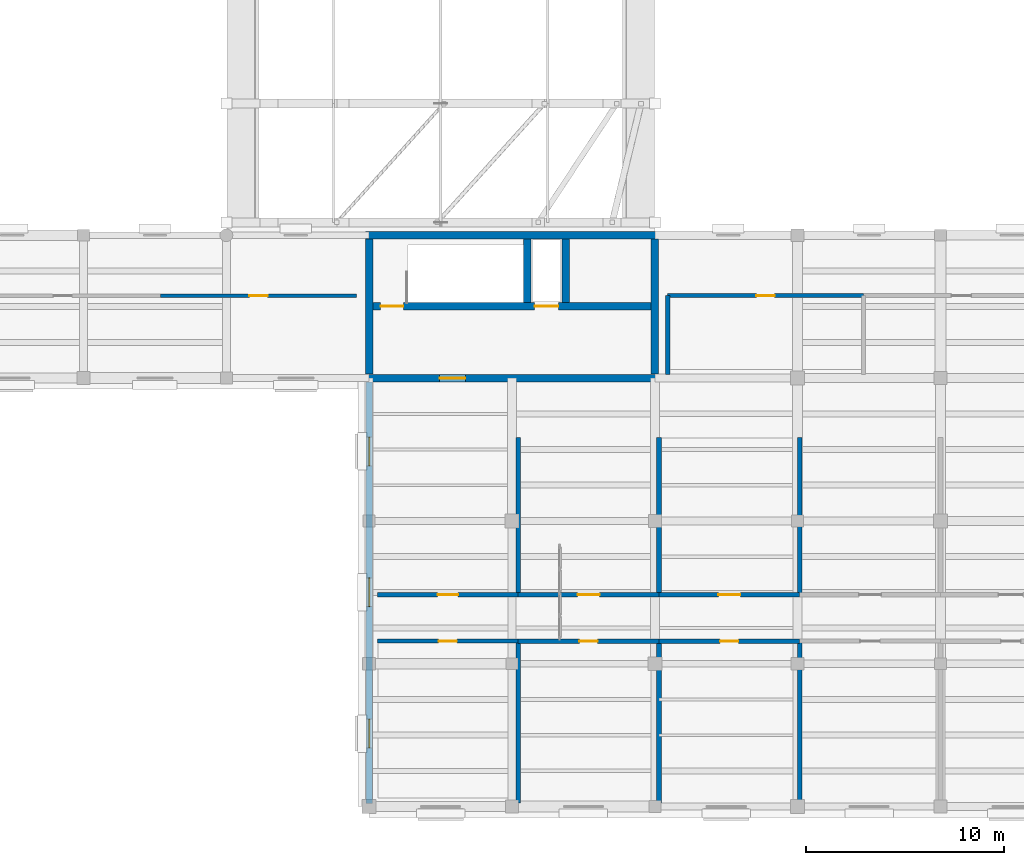
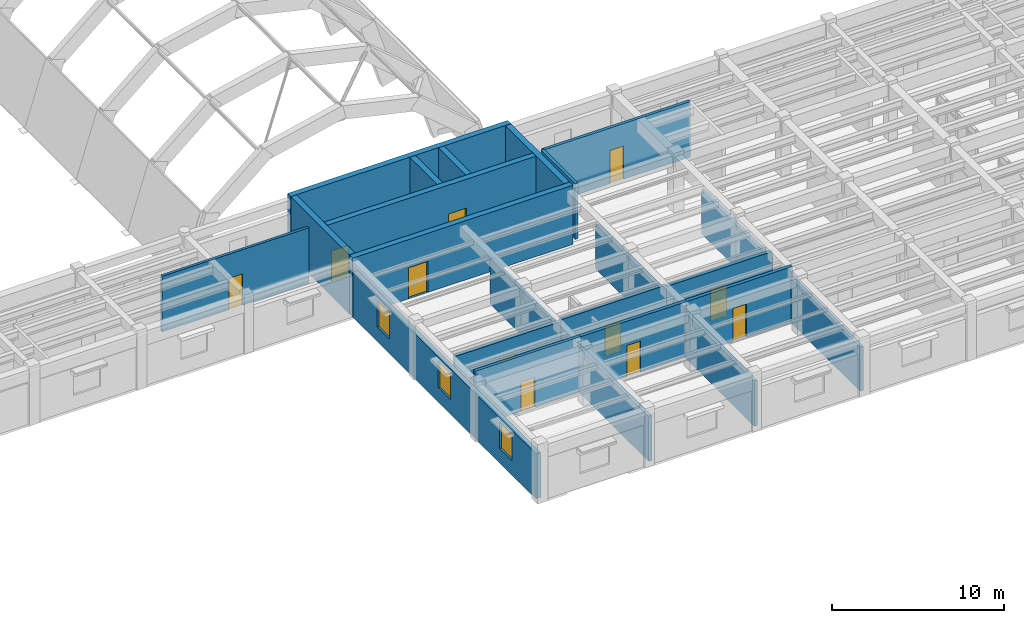
# One storey, part 40 of 66: 23 walls, 11 doors, 3 windows, 14 openings.
"""IFC4 building model written with IfcOpenShell, lengths in metres."""

from ifc_helpers import new_model, si_unit, direction, frame, frame_2d, origin, place, context, subcontext, project, spatial, rectangle, extrude, material, layer, layer_set, type_object, element, fill, save


model = new_model("IFC4")

# Units and contexts
model_context = context("Model", 3, precision=1e-05, world=origin(), true_north=direction((0.0, 1.0)))
body_context = subcontext(model_context, "Body", "Model", "MODEL_VIEW")
ifc_project = project(units=[si_unit("LENGTHUNIT", "METRE"), si_unit("AREAUNIT", "SQUARE_METRE"), si_unit("VOLUMEUNIT", "CUBIC_METRE"), si_unit("PLANEANGLEUNIT", "RADIAN"), si_unit("MASSUNIT", "GRAM", prefix="KILO")], contexts=[model_context])

# Site, building, storey
site_placement = place(None, origin())
site = spatial("IfcSite", under=ifc_project, at=site_placement, CompositionType="ELEMENT")
building_placement = place(site_placement, origin())
building = spatial("IfcBuilding", under=site, at=building_placement, Name="Mithqara Police Headquarters", CompositionType="ELEMENT")
storey_placement = place(building_placement, frame((0.0, 0.0, 9.60009765625)))
storey = spatial("IfcBuildingStorey", under=building, at=storey_placement, Name="L02", CompositionType="ELEMENT", Elevation=9.60009765625)

# Wall, openings, windows
ifc_material_1 = material(Name="Limestone ashlar masonry, 45 MPa", Category="masonry")
ifc_layer_1 = layer(ifc_material_1, 0.320068359375, Name="Limestone ashlar masonry, 45 MPa")
ifc_layer_set_1 = layer_set([ifc_layer_1], Name="Limestone ashlar masonry, 45 MPa")
wall_type_1 = type_object("IfcWallType", Name="EXT WALL LIMESTONE320", PredefinedType="SOLIDWALL", material=ifc_layer_set_1)
wall_1_placement = place(storey_placement, frame((79.800048828125, 28.010009765625, 0.0), z_axis=(0.0, 0.0, 1.0), x_axis=(0.0, -1.0, 0.0)))
wall_1 = element("IfcWall", 1, at=wall_1_placement, inside=storey, type_object=wall_type_1, Name="L02 Exterior Wall 1.1", PredefinedType="SOLIDWALL", context=body_context, shape_type="SweptSolid", body=[
    extrude(rectangle(XDim=21.25, YDim=0.320068359375, at=frame_2d((10.625, 0.0))), origin(), (0.0, 0.0, 1.0), 3.18994140625),
])
opening_1_placement = place(wall_1_placement, frame((17.0048828125, 0.0, 1.0)))
opening_1 = element("IfcOpeningElement", 2, at=opening_1_placement, cuts=wall_1, Name="Opening W-23", PredefinedType="OPENING", context=body_context, shape_type="SweptSolid", body=[
    extrude(rectangle(XDim=1.449951171875, YDim=1.89990234375, at=frame_2d((0.72509765625, 0.949951171875))), frame((0.0, 0.169921875, 0.0), z_axis=(0.0, -1.0, 0.0), x_axis=(1.0, 0.0, 0.0)), (0.0, 0.0, 1.0), 0.340087890625),
])
opening_2_placement = place(wall_1_placement, frame((9.885009765625, 0.0, 1.0)))
opening_2 = element("IfcOpeningElement", 3, at=opening_2_placement, cuts=wall_1, Name="Opening W-23", PredefinedType="OPENING", context=body_context, shape_type="SweptSolid", body=[
    extrude(rectangle(XDim=1.449951171875, YDim=1.89990234375, at=frame_2d((0.72509765625, 0.949951171875))), frame((0.0, 0.169921875, 0.0), z_axis=(0.0, -1.0, 0.0), x_axis=(1.0, 0.0, 0.0)), (0.0, 0.0, 1.0), 0.340087890625),
])
opening_3_placement = place(wall_1_placement, frame((2.780029296875, 0.0, 1.0)))
opening_3 = element("IfcOpeningElement", 4, at=opening_3_placement, cuts=wall_1, Name="Opening W-23", PredefinedType="OPENING", context=body_context, shape_type="SweptSolid", body=[
    extrude(rectangle(XDim=1.449951171875, YDim=1.89990234375, at=frame_2d((0.72509765625, 0.949951171875))), frame((0.0, 0.169921875, 0.0), z_axis=(0.0, -1.0, 0.0), x_axis=(1.0, 0.0, 0.0)), (0.0, 0.0, 1.0), 0.340087890625),
])
ifc_material_2 = material(Name="Spectrally selective double low-e glass", Category="glass")
window_type = type_object("IfcWindowType", Name="WINDOW 1450X1900", PartitioningType="SINGLE_PANEL", PredefinedType="WINDOW", material=ifc_material_2)
window_1_placement = place(opening_1_placement, origin())
window_1 = element("IfcWindow", 5, at=window_1_placement, inside=storey, type_object=window_type, Name="L02 Deep-Set Punched Window 1.1", OverallHeight=1.89990234375, OverallWidth=1.449951171875, PartitioningType="SINGLE_PANEL", PredefinedType="WINDOW", context=body_context, shape_type="SweptSolid", body=[
    extrude(rectangle(XDim=1.449951171875, YDim=1.89990234375, at=frame_2d((0.72509765625, 0.949951171875))), frame((0.0, 0.030029296875, 0.0), z_axis=(0.0, -1.0, 0.0), x_axis=(1.0, 0.0, 0.0)), (0.0, 0.0, 1.0), 0.06005859375),
])
fill(opening_1, window_1)
window_2_placement = place(opening_2_placement, origin())
window_2 = element("IfcWindow", 6, at=window_2_placement, inside=storey, type_object=window_type, Name="L02 Deep-Set Punched Window 1.2", OverallHeight=1.89990234375, OverallWidth=1.449951171875, PartitioningType="SINGLE_PANEL", PredefinedType="WINDOW", context=body_context, shape_type="SweptSolid", body=[
    extrude(rectangle(XDim=1.449951171875, YDim=1.89990234375, at=frame_2d((0.72509765625, 0.949951171875))), frame((0.0, 0.030029296875, 0.0), z_axis=(0.0, -1.0, 0.0), x_axis=(1.0, 0.0, 0.0)), (0.0, 0.0, 1.0), 0.06005859375),
])
fill(opening_2, window_2)
window_3_placement = place(opening_3_placement, origin())
window_3 = element("IfcWindow", 7, at=window_3_placement, inside=storey, type_object=window_type, Name="L02 Deep-Set Punched Window 1.3", OverallHeight=1.89990234375, OverallWidth=1.449951171875, PartitioningType="SINGLE_PANEL", PredefinedType="WINDOW", context=body_context, shape_type="SweptSolid", body=[
    extrude(rectangle(XDim=1.449951171875, YDim=1.89990234375, at=frame_2d((0.72509765625, 0.949951171875))), frame((0.0, 0.030029296875, 0.0), z_axis=(0.0, -1.0, 0.0), x_axis=(1.0, 0.0, 0.0)), (0.0, 0.0, 1.0), 0.06005859375),
])
fill(opening_3, window_3)

# Wall, opening, door
ifc_material_3 = material(Name="Concrete C40/50", Category="concrete")
ifc_layer_2 = layer(ifc_material_3, 0.179931640625, Name="Concrete C40/50")
ifc_layer_set_2 = layer_set([ifc_layer_2], Name="Concrete C40/50")
wall_type_2 = type_object("IfcWallType", Name="PART WALL 180", PredefinedType="PARTITIONING", material=ifc_layer_set_2)
wall_2_placement = place(storey_placement, frame((69.283935546875, 32.360107421875, 0.0), z_axis=(0.0, 0.0, 1.0), x_axis=(1.0, 0.0, 0.0)))
wall_2 = element("IfcWall", 8, at=wall_2_placement, inside=storey, type_object=wall_type_2, Name="L02 Corridor Wall Community Safety Analysis Office", PredefinedType="PARTITIONING", context=body_context, shape_type="SweptSolid", body=[
    extrude(rectangle(XDim=9.865966796875, YDim=0.179931640625, at=frame_2d((4.93310546875, 0.0))), origin(), (0.0, 0.0, 1.0), 3.93994140625),
])
opening_4_placement = place(wall_2_placement, frame((4.472900390625, 0.0, 0.0)))
opening_4 = element("IfcOpeningElement", 9, at=opening_4_placement, cuts=wall_2, Name="Opening D-02", PredefinedType="OPENING", context=body_context, shape_type="SweptSolid", body=[
    extrude(rectangle(XDim=0.919921875, YDim=2.219970703125, at=frame_2d((0.4599609375, 1.10986328125))), frame((0.0, 0.10009765625, 0.0), z_axis=(0.0, -1.0, 0.0), x_axis=(1.0, 0.0, 0.0)), (0.0, 0.0, 1.0), 0.199951171875),
])
ifc_material_4 = material(Name="Acoustic solid-core timber leaf", Category="wood")
door_type_1 = type_object("IfcDoorType", Name="INT DOOR 920X2220", OperationType="NOTDEFINED", PredefinedType="DOOR", material=ifc_material_4)
door_1_placement = place(opening_4_placement, frame((0.919921875, 0.0, 0.0), z_axis=(0.0, 0.0, 1.0), x_axis=(-1.0, 0.0, 0.0)))
door_1 = element("IfcDoor", 10, at=door_1_placement, inside=storey, type_object=door_type_1, Name="Community Safety Analysis Office Entry Door", OperationType="SINGLE_SWING_LEFT", OverallHeight=2.219970703125, OverallWidth=0.919921875, PredefinedType="DOOR", context=body_context, shape_type="SweptSolid", body=[
    extrude(rectangle(XDim=0.919921875, YDim=2.219970703125, at=frame_2d((0.4599609375, 1.10986328125))), frame((0.0, 0.02490234375, 0.0), z_axis=(0.0, -1.0, 0.0), x_axis=(1.0, 0.0, 0.0)), (0.0, 0.0, 1.0), 0.050048828125),
])
fill(opening_4, door_1)

# Wall
ifc_layer_3 = layer(ifc_material_3, 0.2099609375, Name="Concrete C40/50")
ifc_layer_set_3 = layer_set([ifc_layer_3], Name="Concrete C40/50")
wall_type_3 = type_object("IfcWallType", Name="PART WALL 210", PredefinedType="PARTITIONING", material=ifc_layer_set_3)
wall_3_placement = place(storey_placement, frame((94.85009765625, 28.3798828125, 0.0), z_axis=(0.0, 0.0, 1.0), x_axis=(0.0, 1.0, 0.0)))
element("IfcWall", 11, at=wall_3_placement, inside=storey, type_object=wall_type_3, Name="L02 Partition End Closure E0", PredefinedType="PARTITIONING", context=body_context, shape_type="SweptSolid", body=[
    extrude(rectangle(XDim=3.980224609375, YDim=0.2099609375, at=frame_2d((1.990234375, 0.0))), origin(), (0.0, 0.0, 1.0), 3.93994140625),
])

# Wall, opening, door
wall_4_placement = place(storey_placement, frame((94.85009765625, 32.360107421875, 0.0), z_axis=(0.0, 0.0, 1.0), x_axis=(1.0, 0.0, 0.0)))
wall_4 = element("IfcWall", 12, at=wall_4_placement, inside=storey, type_object=wall_type_3, Name="L02 Corridor Wall Community Safety Analysis Office", PredefinedType="PARTITIONING", context=body_context, shape_type="SweptSolid", body=[
    extrude(rectangle(XDim=9.865966796875, YDim=0.2099609375, at=frame_2d((4.93310546875, 0.0))), origin(), (0.0, 0.0, 1.0), 3.93994140625),
])
opening_5_placement = place(wall_4_placement, frame((4.472900390625, 0.0, 0.0)))
opening_5 = element("IfcOpeningElement", 13, at=opening_5_placement, cuts=wall_4, Name="Opening D-03", PredefinedType="OPENING", context=body_context, shape_type="SweptSolid", body=[
    extrude(rectangle(XDim=0.919921875, YDim=2.35009765625, at=frame_2d((0.4599609375, 1.175048828125))), frame((0.0, 0.114990234375, 0.0), z_axis=(0.0, -1.0, 0.0), x_axis=(1.0, 0.0, 0.0)), (0.0, 0.0, 1.0), 0.22998046875),
])
door_type_2 = type_object("IfcDoorType", Name="INT DOOR 920X2350", OperationType="NOTDEFINED", PredefinedType="DOOR", material=ifc_material_4)
door_2_placement = place(opening_5_placement, frame((0.919921875, 0.0, 0.0), z_axis=(0.0, 0.0, 1.0), x_axis=(-1.0, 0.0, 0.0)))
door_2 = element("IfcDoor", 14, at=door_2_placement, inside=storey, type_object=door_type_2, Name="Community Safety Analysis Office Entry Door", OperationType="SINGLE_SWING_RIGHT", OverallHeight=2.35009765625, OverallWidth=0.919921875, PredefinedType="DOOR", context=body_context, shape_type="SweptSolid", body=[
    extrude(rectangle(XDim=0.919921875, YDim=2.35009765625, at=frame_2d((0.4599609375, 1.175048828125))), frame((0.0, 0.02490234375, 0.0), z_axis=(0.0, -1.0, 0.0), x_axis=(1.0, 0.0, 0.0)), (0.0, 0.0, 1.0), 0.050048828125),
])
fill(opening_5, door_2)

wall_5_placement = place(storey_placement, frame((80.219970703125, 14.93994140625, 0.0), z_axis=(0.0, 0.0, 1.0), x_axis=(1.0, 0.0, 0.0)))
wall_5 = element("IfcWall", 15, at=wall_5_placement, inside=storey, type_object=wall_type_3, Name="L02 Corridor Wall Custody Administration Suite", PredefinedType="PARTITIONING", context=body_context, shape_type="SweptSolid", body=[
    extrude(rectangle(XDim=7.094970703125, YDim=0.2099609375, at=frame_2d((3.54736328125, 0.0))), origin(), (0.0, 0.0, 1.0), 3.93994140625),
])
opening_6_placement = place(wall_5_placement, frame((3.08740234375, 0.0, 0.0)))
opening_6 = element("IfcOpeningElement", 16, at=opening_6_placement, cuts=wall_5, Name="Opening D-01", PredefinedType="OPENING", context=body_context, shape_type="SweptSolid", body=[
    extrude(rectangle(XDim=0.919921875, YDim=2.10009765625, at=frame_2d((0.4599609375, 1.050048828125))), frame((0.0, 0.114990234375, 0.0), z_axis=(0.0, -1.0, 0.0), x_axis=(1.0, 0.0, 0.0)), (0.0, 0.0, 1.0), 0.22998046875),
])
door_type_3 = type_object("IfcDoorType", Name="INT DOOR 920X2100", OperationType="NOTDEFINED", PredefinedType="DOOR", material=ifc_material_4)
door_3_placement = place(opening_6_placement, frame((0.919921875, 0.0, 0.0), z_axis=(0.0, 0.0, 1.0), x_axis=(-1.0, 0.0, 0.0)))
door_3 = element("IfcDoor", 17, at=door_3_placement, inside=storey, type_object=door_type_3, Name="Custody Administration Suite Entry Door", OperationType="SINGLE_SWING_RIGHT", OverallHeight=2.10009765625, OverallWidth=0.919921875, PredefinedType="DOOR", context=body_context, shape_type="SweptSolid", body=[
    extrude(rectangle(XDim=0.919921875, YDim=2.10009765625, at=frame_2d((0.4599609375, 1.050048828125))), frame((0.0, 0.02490234375, 0.0), z_axis=(0.0, -1.0, 0.0), x_axis=(1.0, 0.0, 0.0)), (0.0, 0.0, 1.0), 0.050048828125),
])
fill(opening_6, door_3)

wall_6_placement = place(storey_placement, frame((87.31494140625, 17.280029296875, 0.0), z_axis=(0.0, 0.0, 1.0), x_axis=(1.0, 0.0, 0.0)))
wall_6 = element("IfcWall", 18, at=wall_6_placement, inside=storey, type_object=wall_type_3, Name="L02 Corridor Wall Custody Administration Suite", PredefinedType="PARTITIONING", context=body_context, shape_type="SweptSolid", body=[
    extrude(rectangle(XDim=7.094970703125, YDim=0.2099609375, at=frame_2d((3.54736328125, 0.0))), origin(), (0.0, 0.0, 1.0), 3.68994140625),
])
opening_7_placement = place(wall_6_placement, frame((2.99755859375, 0.0, 0.0)))
opening_7 = element("IfcOpeningElement", 19, at=opening_7_placement, cuts=wall_6, Name="Opening D-10", PredefinedType="OPENING", context=body_context, shape_type="SweptSolid", body=[
    extrude(rectangle(XDim=1.10009765625, YDim=2.10009765625, at=frame_2d((0.550048828125, 1.050048828125))), frame((0.0, 0.114990234375, 0.0), z_axis=(0.0, -1.0, 0.0), x_axis=(1.0, 0.0, 0.0)), (0.0, 0.0, 1.0), 0.22998046875),
])
door_type_4 = type_object("IfcDoorType", Name="INT DOOR 1100X2100", OperationType="NOTDEFINED", PredefinedType="DOOR", material=ifc_material_4)
door_4_placement = place(opening_7_placement, origin())
door_4 = element("IfcDoor", 20, at=door_4_placement, inside=storey, type_object=door_type_4, Name="Custody Administration Suite Entry Door", OperationType="SINGLE_SWING_LEFT", OverallHeight=2.10009765625, OverallWidth=1.10009765625, PredefinedType="DOOR", context=body_context, shape_type="SweptSolid", body=[
    extrude(rectangle(XDim=1.10009765625, YDim=2.10009765625, at=frame_2d((0.550048828125, 1.050048828125))), frame((0.0, 0.02490234375, 0.0), z_axis=(0.0, -1.0, 0.0), x_axis=(1.0, 0.0, 0.0)), (0.0, 0.0, 1.0), 0.050048828125),
])
fill(opening_7, door_4)

# Wall
ifc_layer_4 = layer(ifc_material_3, 0.22998046875, Name="Concrete C40/50")
ifc_layer_set_4 = layer_set([ifc_layer_4], Name="Concrete C40/50")
wall_type_4 = type_object("IfcWallType", Name="PART WALL 230", PredefinedType="PARTITIONING", material=ifc_layer_set_4)
wall_7_placement = place(storey_placement, frame((87.31494140625, 6.780029296875, 0.0), z_axis=(0.0, 0.0, 1.0), x_axis=(0.0, 1.0, 0.0)))
element("IfcWall", 21, at=wall_7_placement, inside=storey, type_object=wall_type_4, Name="L02 Room Partition Custody Administration Suite", PredefinedType="PARTITIONING", context=body_context, shape_type="SweptSolid", body=[
    extrude(rectangle(XDim=8.159912109375, YDim=0.22998046875, at=frame_2d((4.080078125, 0.0))), origin(), (0.0, 0.0, 1.0), 3.18994140625),
])

# Wall, opening, door
wall_8_placement = place(storey_placement, frame((87.31494140625, 14.93994140625, 0.0), z_axis=(0.0, 0.0, 1.0), x_axis=(1.0, 0.0, 0.0)))
wall_8 = element("IfcWall", 22, at=wall_8_placement, inside=storey, type_object=wall_type_4, Name="L02 Corridor Wall Magistrate Video Hearing Room", PredefinedType="PARTITIONING", context=body_context, shape_type="SweptSolid", body=[
    extrude(rectangle(XDim=7.094970703125, YDim=0.22998046875, at=frame_2d((3.54736328125, 0.0))), origin(), (0.0, 0.0, 1.0), 3.93994140625),
])
opening_8_placement = place(wall_8_placement, frame((3.08740234375, 0.0, 0.0)))
opening_8 = element("IfcOpeningElement", 23, at=opening_8_placement, cuts=wall_8, Name="Opening D-02", PredefinedType="OPENING", context=body_context, shape_type="SweptSolid", body=[
    extrude(rectangle(XDim=0.919921875, YDim=2.219970703125, at=frame_2d((0.4599609375, 1.10986328125))), frame((0.0, 0.125, 0.0), z_axis=(0.0, -1.0, 0.0), x_axis=(1.0, 0.0, 0.0)), (0.0, 0.0, 1.0), 0.25),
])
door_5_placement = place(opening_8_placement, frame((0.919921875, 0.0, 0.0), z_axis=(0.0, 0.0, 1.0), x_axis=(-1.0, 0.0, 0.0)))
door_5 = element("IfcDoor", 24, at=door_5_placement, inside=storey, type_object=door_type_1, Name="Magistrate Video Hearing Room Entry Door", OperationType="SINGLE_SWING_LEFT", OverallHeight=2.219970703125, OverallWidth=0.919921875, PredefinedType="DOOR", context=body_context, shape_type="SweptSolid", body=[
    extrude(rectangle(XDim=0.919921875, YDim=2.219970703125, at=frame_2d((0.4599609375, 1.10986328125))), frame((0.0, 0.02490234375, 0.0), z_axis=(0.0, -1.0, 0.0), x_axis=(1.0, 0.0, 0.0)), (0.0, 0.0, 1.0), 0.050048828125),
])
fill(opening_8, door_5)

# Wall
wall_9_placement = place(storey_placement, frame((94.409912109375, 6.780029296875, 0.0), z_axis=(0.0, 0.0, 1.0), x_axis=(0.0, 1.0, 0.0)))
element("IfcWall", 25, at=wall_9_placement, inside=storey, type_object=wall_type_4, Name="L02 Room Partition Magistrate Video Hearing Room", PredefinedType="PARTITIONING", context=body_context, shape_type="SweptSolid", body=[
    extrude(rectangle(XDim=8.159912109375, YDim=0.22998046875, at=frame_2d((4.080078125, 0.0))), origin(), (0.0, 0.0, 1.0), 3.18994140625),
])

# Wall, opening, door
wall_10_placement = place(storey_placement, frame((94.409912109375, 14.93994140625, 0.0), z_axis=(0.0, 0.0, 1.0), x_axis=(1.0, 0.0, 0.0)))
wall_10 = element("IfcWall", 26, at=wall_10_placement, inside=storey, type_object=wall_type_4, Name="L02 Corridor Wall Legal Counsel Consultation Room", PredefinedType="PARTITIONING", context=body_context, shape_type="SweptSolid", body=[
    extrude(rectangle(XDim=7.094970703125, YDim=0.22998046875, at=frame_2d((3.54736328125, 0.0))), origin(), (0.0, 0.0, 1.0), 3.93994140625),
])
opening_9_placement = place(wall_10_placement, frame((3.08740234375, 0.0, 0.0)))
opening_9 = element("IfcOpeningElement", 27, at=opening_9_placement, cuts=wall_10, Name="Opening D-03", PredefinedType="OPENING", context=body_context, shape_type="SweptSolid", body=[
    extrude(rectangle(XDim=0.919921875, YDim=2.35009765625, at=frame_2d((0.4599609375, 1.175048828125))), frame((0.0, 0.125, 0.0), z_axis=(0.0, -1.0, 0.0), x_axis=(1.0, 0.0, 0.0)), (0.0, 0.0, 1.0), 0.25),
])
door_6_placement = place(opening_9_placement, frame((0.919921875, 0.0, 0.0), z_axis=(0.0, 0.0, 1.0), x_axis=(-1.0, 0.0, 0.0)))
door_6 = element("IfcDoor", 28, at=door_6_placement, inside=storey, type_object=door_type_2, Name="Legal Counsel Consultation Room Entry Door", OperationType="SINGLE_SWING_RIGHT", OverallHeight=2.35009765625, OverallWidth=0.919921875, PredefinedType="DOOR", context=body_context, shape_type="SweptSolid", body=[
    extrude(rectangle(XDim=0.919921875, YDim=2.35009765625, at=frame_2d((0.4599609375, 1.175048828125))), frame((0.0, 0.02490234375, 0.0), z_axis=(0.0, -1.0, 0.0), x_axis=(1.0, 0.0, 0.0)), (0.0, 0.0, 1.0), 0.050048828125),
])
fill(opening_9, door_6)

# Wall
wall_11_placement = place(storey_placement, frame((101.5048828125, 6.780029296875, 0.0), z_axis=(0.0, 0.0, 1.0), x_axis=(0.0, 1.0, 0.0)))
element("IfcWall", 29, at=wall_11_placement, inside=storey, type_object=wall_type_4, Name="L02 Room Partition Legal Counsel Consultation Room", PredefinedType="PARTITIONING", context=body_context, shape_type="SweptSolid", body=[
    extrude(rectangle(XDim=8.159912109375, YDim=0.22998046875, at=frame_2d((4.080078125, 0.0))), origin(), (0.0, 0.0, 1.0), 3.139892578125),
])

# Wall, opening, door
wall_12_placement = place(storey_placement, frame((80.219970703125, 17.280029296875, 0.0), z_axis=(0.0, 0.0, 1.0), x_axis=(1.0, 0.0, 0.0)))
wall_12 = element("IfcWall", 30, at=wall_12_placement, inside=storey, type_object=wall_type_4, Name="L02 Corridor Wall Legal Counsel Consultation Room", PredefinedType="PARTITIONING", context=body_context, shape_type="SweptSolid", body=[
    extrude(rectangle(XDim=7.094970703125, YDim=0.22998046875, at=frame_2d((3.54736328125, 0.0))), origin(), (0.0, 0.0, 1.0), 3.579833984375),
])
opening_10_placement = place(wall_12_placement, frame((3.027587890625, 0.0, 0.0)))
opening_10 = element("IfcOpeningElement", 31, at=opening_10_placement, cuts=wall_12, Name="Opening D-09", PredefinedType="OPENING", context=body_context, shape_type="SweptSolid", body=[
    extrude(rectangle(XDim=1.0400390625, YDim=2.35009765625, at=frame_2d((0.52001953125, 1.175048828125))), frame((0.0, 0.125, 0.0), z_axis=(0.0, -1.0, 0.0), x_axis=(1.0, 0.0, 0.0)), (0.0, 0.0, 1.0), 0.25),
])
door_type_5 = type_object("IfcDoorType", Name="INT DOOR 1040X2350", OperationType="NOTDEFINED", PredefinedType="DOOR", material=ifc_material_4)
door_7_placement = place(opening_10_placement, origin())
door_7 = element("IfcDoor", 32, at=door_7_placement, inside=storey, type_object=door_type_5, Name="Legal Counsel Consultation Room Entry Door", OperationType="SINGLE_SWING_RIGHT", OverallHeight=2.35009765625, OverallWidth=1.0400390625, PredefinedType="DOOR", context=body_context, shape_type="SweptSolid", body=[
    extrude(rectangle(XDim=1.0400390625, YDim=2.35009765625, at=frame_2d((0.52001953125, 1.175048828125))), frame((0.0, 0.02490234375, 0.0), z_axis=(0.0, -1.0, 0.0), x_axis=(1.0, 0.0, 0.0)), (0.0, 0.0, 1.0), 0.050048828125),
])
fill(opening_10, door_7)

# Walls
wall_13_placement = place(storey_placement, frame((87.31494140625, 17.280029296875, 0.0), z_axis=(0.0, 0.0, 1.0), x_axis=(0.0, 1.0, 0.0)))
element("IfcWall", 33, at=wall_13_placement, inside=storey, type_object=wall_type_4, Name="L02 Room Partition Legal Counsel Consultation Room", PredefinedType="PARTITIONING", context=body_context, shape_type="SweptSolid", body=[
    extrude(rectangle(XDim=7.919921875, YDim=0.22998046875, at=frame_2d((3.9599609375, 0.0))), origin(), (0.0, 0.0, 1.0), 3.18994140625),
])
wall_14_placement = place(storey_placement, frame((94.409912109375, 17.280029296875, 0.0), z_axis=(0.0, 0.0, 1.0), x_axis=(0.0, 1.0, 0.0)))
element("IfcWall", 34, at=wall_14_placement, inside=storey, type_object=wall_type_4, Name="L02 Room Partition Custody Administration Suite", PredefinedType="PARTITIONING", context=body_context, shape_type="SweptSolid", body=[
    extrude(rectangle(XDim=7.919921875, YDim=0.22998046875, at=frame_2d((3.9599609375, 0.0))), origin(), (0.0, 0.0, 1.0), 3.139892578125),
])

# Wall, opening, door
wall_15_placement = place(storey_placement, frame((94.409912109375, 17.280029296875, 0.0), z_axis=(0.0, 0.0, 1.0), x_axis=(1.0, 0.0, 0.0)))
wall_15 = element("IfcWall", 35, at=wall_15_placement, inside=storey, type_object=wall_type_4, Name="L02 Corridor Wall Magistrate Video Hearing Room", PredefinedType="PARTITIONING", context=body_context, shape_type="SweptSolid", body=[
    extrude(rectangle(XDim=7.094970703125, YDim=0.22998046875, at=frame_2d((3.54736328125, 0.0))), origin(), (0.0, 0.0, 1.0), 3.579833984375),
])
opening_11_placement = place(wall_15_placement, frame((2.99755859375, 0.0, 0.0)))
opening_11 = element("IfcOpeningElement", 36, at=opening_11_placement, cuts=wall_15, Name="Opening D-11", PredefinedType="OPENING", context=body_context, shape_type="SweptSolid", body=[
    extrude(rectangle(XDim=1.10009765625, YDim=2.219970703125, at=frame_2d((0.550048828125, 1.10986328125))), frame((0.0, 0.125, 0.0), z_axis=(0.0, -1.0, 0.0), x_axis=(1.0, 0.0, 0.0)), (0.0, 0.0, 1.0), 0.25),
])
door_type_6 = type_object("IfcDoorType", Name="INT DOOR 1100X2220", OperationType="NOTDEFINED", PredefinedType="DOOR", material=ifc_material_4)
door_8_placement = place(opening_11_placement, origin())
door_8 = element("IfcDoor", 37, at=door_8_placement, inside=storey, type_object=door_type_6, Name="Magistrate Video Hearing Room Entry Door", OperationType="SINGLE_SWING_RIGHT", OverallHeight=2.219970703125, OverallWidth=1.10009765625, PredefinedType="DOOR", context=body_context, shape_type="SweptSolid", body=[
    extrude(rectangle(XDim=1.10009765625, YDim=2.219970703125, at=frame_2d((0.550048828125, 1.10986328125))), frame((0.0, 0.02490234375, 0.0), z_axis=(0.0, -1.0, 0.0), x_axis=(1.0, 0.0, 0.0)), (0.0, 0.0, 1.0), 0.050048828125),
])
fill(opening_11, door_8)

# Walls
wall_16_placement = place(storey_placement, frame((101.5048828125, 17.280029296875, 0.0), z_axis=(0.0, 0.0, 1.0), x_axis=(0.0, 1.0, 0.0)))
element("IfcWall", 38, at=wall_16_placement, inside=storey, type_object=wall_type_4, Name="L02 Room Partition Magistrate Video Hearing Room", PredefinedType="PARTITIONING", context=body_context, shape_type="SweptSolid", body=[
    extrude(rectangle(XDim=7.919921875, YDim=0.22998046875, at=frame_2d((3.9599609375, 0.0))), origin(), (0.0, 0.0, 1.0), 3.08984375),
])
ifc_material_5 = material(Name="Concrete C50/60", Category="concrete")
ifc_layer_5 = layer(ifc_material_5, 0.3798828125, Name="Concrete C50/60")
ifc_layer_set_5 = layer_set([ifc_layer_5], Name="Concrete C50/60")
wall_type_5 = type_object("IfcWallType", Name="SHEAR WALL 380", PredefinedType="SHEAR", material=ifc_layer_set_5)
wall_17_placement = place(storey_placement, frame((79.610107421875, 35.39990234375, 0.0), z_axis=(0.0, 0.0, 1.0), x_axis=(1.0, 0.0, 0.0)))
element("IfcWall", 39, at=wall_17_placement, inside=storey, type_object=wall_type_5, Name="Core C5 Courtyard South Shear Wall N", PredefinedType="SHEAR", context=body_context, shape_type="SweptSolid", body=[
    extrude(rectangle(XDim=14.77978515625, YDim=0.3798828125, at=frame_2d((7.389892578125, 0.0))), origin(), (0.0, 0.0, 1.0), 4.199951171875),
])

# Wall, opening, door
wall_18_placement = place(storey_placement, frame((79.610107421875, 28.199951171875, 0.0), z_axis=(0.0, 0.0, 1.0), x_axis=(1.0, 0.0, 0.0)))
wall_18 = element("IfcWall", 40, at=wall_18_placement, inside=storey, type_object=wall_type_5, Name="Core C5 Courtyard South Shear Wall S", PredefinedType="SHEAR", context=body_context, shape_type="SweptSolid", body=[
    extrude(rectangle(XDim=14.77978515625, YDim=0.3798828125, at=frame_2d((7.389892578125, 0.0))), origin(), (0.0, 0.0, 1.0), 4.199951171875),
])
opening_12_placement = place(wall_18_placement, frame((3.739990234375, 0.0, 0.0)))
opening_12 = element("IfcOpeningElement", 41, at=opening_12_placement, cuts=wall_18, Name="Opening FD-02", PredefinedType="OPENING", context=body_context, shape_type="SweptSolid", body=[
    extrude(rectangle(XDim=1.300048828125, YDim=2.199951171875, at=frame_2d((0.64990234375, 1.10009765625))), frame((0.0, 0.199951171875, 0.0), z_axis=(0.0, -1.0, 0.0), x_axis=(1.0, 0.0, 0.0)), (0.0, 0.0, 1.0), 0.39990234375),
])
ifc_material_6 = material(Name="Steel S355JR", Category="steel")
door_type_7 = type_object("IfcDoorType", Name="CORE DOOR LOBBY 1300X2200", OperationType="NOTDEFINED", PredefinedType="DOOR", material=ifc_material_6)
door_9_placement = place(opening_12_placement, frame((1.300048828125, 0.0, 0.0), z_axis=(0.0, 0.0, 1.0), x_axis=(-1.0, 0.0, 0.0)))
door_9 = element("IfcDoor", 42, at=door_9_placement, inside=storey, type_object=door_type_7, Name="Core C5 Courtyard South Lobby Fire Door L02", OperationType="SINGLE_SWING_LEFT", OverallHeight=2.199951171875, OverallWidth=1.300048828125, PredefinedType="DOOR", context=body_context, shape_type="SweptSolid", body=[
    extrude(rectangle(XDim=1.300048828125, YDim=2.199951171875, at=frame_2d((0.64990234375, 1.10009765625))), frame((0.0, 0.02490234375, 0.0), z_axis=(0.0, -1.0, 0.0), x_axis=(1.0, 0.0, 0.0)), (0.0, 0.0, 1.0), 0.050048828125),
])
fill(opening_12, door_9)

# Walls
for number, where, z_axis, x_axis, name in (
    (43, (79.800048828125, 28.39990234375, 0.0), (0.0, 0.0, 1.0), (0.0, 1.0, 0.0), "Core C5 Courtyard South Shear Wall W"),
    (44, (94.199951171875, 28.39990234375, 0.0), (0.0, 0.0, 1.0), (0.0, 1.0, 0.0), "Core C5 Courtyard South Shear Wall E"),
):
    element("IfcWall", number, at=place(storey_placement, frame(where, z_axis=z_axis, x_axis=x_axis)), inside=storey, type_object=wall_type_5, Name=name, PredefinedType="SHEAR", context=body_context, shape_type="SweptSolid", body=[
        extrude(rectangle(XDim=6.800048828125, YDim=0.3798828125, at=frame_2d((3.39990234375, 0.0))), origin(), (0.0, 0.0, 1.0), 4.199951171875),
    ])

# Wall, openings, doors
wall_19_placement = place(storey_placement, frame((80.0, 31.820068359375, 0.0), z_axis=(0.0, 0.0, 1.0), x_axis=(1.0, 0.0, 0.0)))
wall_19 = element("IfcWall", 45, at=wall_19_placement, inside=storey, type_object=wall_type_5, Name="Core C5 Courtyard South Shear Wall M", PredefinedType="SHEAR", context=body_context, shape_type="SweptSolid", body=[
    extrude(rectangle(XDim=14.0, YDim=0.3798828125, at=frame_2d((7.0, 0.0))), origin(), (0.0, 0.0, 1.0), 4.199951171875),
])
opening_13_placement = place(wall_19_placement, frame((8.139892578125, 0.0, 0.0)))
opening_13 = element("IfcOpeningElement", 46, at=opening_13_placement, cuts=wall_19, Name="Opening LD-02", PredefinedType="OPENING", context=body_context, shape_type="SweptSolid", body=[
    extrude(rectangle(XDim=1.199951171875, YDim=2.14990234375, at=frame_2d((0.60009765625, 1.074951171875))), frame((0.0, 0.199951171875, 0.0), z_axis=(0.0, -1.0, 0.0), x_axis=(1.0, 0.0, 0.0)), (0.0, 0.0, 1.0), 0.39990234375),
])
opening_14_placement = place(wall_19_placement, frame((0.375, 0.0, 0.0)))
opening_14 = element("IfcOpeningElement", 47, at=opening_14_placement, cuts=wall_19, Name="Opening FD-01", PredefinedType="OPENING", context=body_context, shape_type="SweptSolid", body=[
    extrude(rectangle(XDim=1.14990234375, YDim=2.14990234375, at=frame_2d((0.574951171875, 1.074951171875))), frame((0.0, 0.199951171875, 0.0), z_axis=(0.0, -1.0, 0.0), x_axis=(1.0, 0.0, 0.0)), (0.0, 0.0, 1.0), 0.39990234375),
])
door_type_8 = type_object("IfcDoorType", Name="CORE DOOR STAIR 1150X2150", OperationType="NOTDEFINED", PredefinedType="DOOR", material=ifc_material_6)
door_10_placement = place(opening_14_placement, origin())
door_10 = element("IfcDoor", 48, at=door_10_placement, inside=storey, type_object=door_type_8, Name="Stair ST-07 Fire Door L02", OperationType="SINGLE_SWING_RIGHT", OverallHeight=2.14990234375, OverallWidth=1.14990234375, PredefinedType="DOOR", context=body_context, shape_type="SweptSolid", body=[
    extrude(rectangle(XDim=1.14990234375, YDim=2.14990234375, at=frame_2d((0.574951171875, 1.074951171875))), frame((0.0, 0.02490234375, 0.0), z_axis=(0.0, -1.0, 0.0), x_axis=(1.0, 0.0, 0.0)), (0.0, 0.0, 1.0), 0.050048828125),
])
fill(opening_14, door_10)
door_type_9 = type_object("IfcDoorType", Name="LIFT DOOR 1200X2150", OperationType="DOUBLE_DOOR_SLIDING", PredefinedType="DOOR", material=ifc_material_6)
door_11_placement = place(opening_13_placement, frame((1.199951171875, 0.0, 0.0), z_axis=(0.0, 0.0, 1.0), x_axis=(-1.0, 0.0, 0.0)))
door_11 = element("IfcDoor", 49, at=door_11_placement, inside=storey, type_object=door_type_9, Name="Lift Landing Door LP-07-L02", OperationType="DOUBLE_DOOR_SLIDING", OverallHeight=2.14990234375, OverallWidth=1.199951171875, PredefinedType="DOOR", context=body_context, shape_type="SweptSolid", body=[
    extrude(rectangle(XDim=1.199951171875, YDim=2.14990234375, at=frame_2d((0.60009765625, 1.074951171875))), frame((0.0, 0.02490234375, 0.0), z_axis=(0.0, -1.0, 0.0), x_axis=(1.0, 0.0, 0.0)), (0.0, 0.0, 1.0), 0.050048828125),
])
fill(opening_13, door_11)

# Walls
for number, where, z_axis, x_axis, name in (
    (50, (87.780029296875, 32.02001953125, 0.0), (0.0, 0.0, 1.0), (0.0, 1.0, 0.0), "Core C5 Courtyard South Shear Wall X"),
    (51, (89.699951171875, 32.02001953125, 0.0), (0.0, 0.0, 1.0), (0.0, 1.0, 0.0), "Core C5 Courtyard South Shear Wall L1"),
):
    element("IfcWall", number, at=place(storey_placement, frame(where, z_axis=z_axis, x_axis=x_axis)), inside=storey, type_object=wall_type_5, Name=name, PredefinedType="SHEAR", context=body_context, shape_type="SweptSolid", body=[
        extrude(rectangle(XDim=3.179931640625, YDim=0.3798828125, at=frame_2d((1.58984375, 0.0))), origin(), (0.0, 0.0, 1.0), 4.199951171875),
    ])

save(model, "model.ifc")
